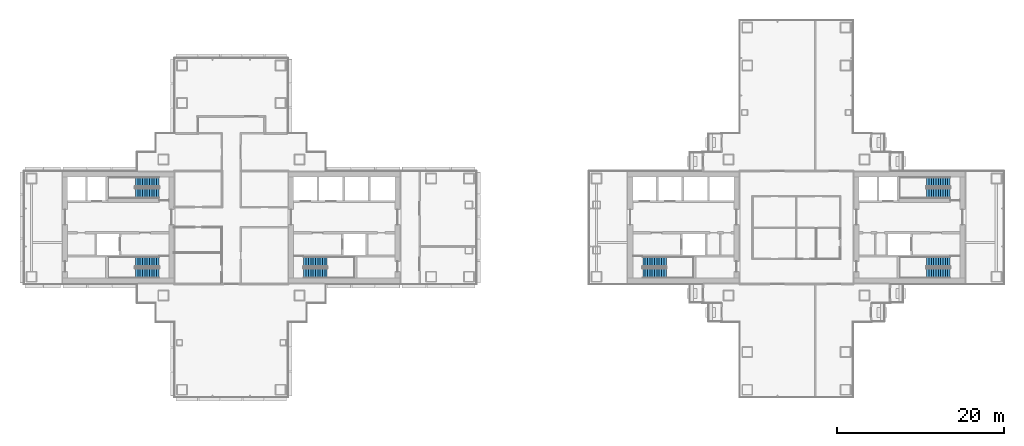
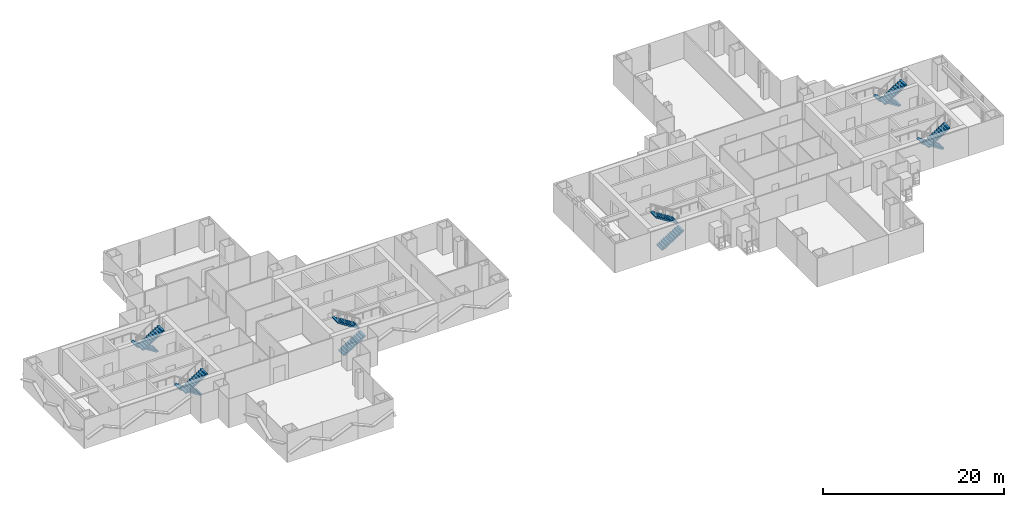
# One storey, part 15 of 19: 12 stair flights, 6 elements without a shape of their own.
"""IFC4 building model written with IfcOpenShell, lengths in metres."""

from ifc_helpers import new_model, si_unit, direction, frame, origin, place, context, subcontext, project, spatial, polyline, outline, extrude, material, type_object, element, aggregate, save


model = new_model("IFC4")

# Units and contexts
model_context = context("Model", 3, precision=1e-05, world=origin(), true_north=direction((0.0, 1.0)))
body_context = subcontext(model_context, "Body", "Model", "MODEL_VIEW")
ifc_project = project(units=[si_unit("LENGTHUNIT", "METRE"), si_unit("AREAUNIT", "SQUARE_METRE"), si_unit("VOLUMEUNIT", "CUBIC_METRE"), si_unit("PLANEANGLEUNIT", "RADIAN"), si_unit("MASSUNIT", "GRAM", prefix="KILO")], contexts=[model_context])

# Site, building, storey
site_placement = place(None, origin())
site = spatial("IfcSite", under=ifc_project, at=site_placement, CompositionType="ELEMENT")
building_placement = place(site_placement, origin())
building = spatial("IfcBuilding", under=site, at=building_placement, Name="Shamsa Quay Exchange Towers", CompositionType="ELEMENT")
storey_placement = place(building_placement, frame((0.0, 0.0, 89.699951171875)))
storey = spatial("IfcBuildingStorey", under=building, at=storey_placement, Name="L20", CompositionType="ELEMENT", Elevation=89.699951171875)

# Stair, stair flights
ifc_material = material(Name="Concrete C40/50", Category="concrete")
stair_type = type_object("IfcStairType", Name="EXIT STAIR 22 RISERS 177 MM", PredefinedType="HALF_TURN_STAIR", material=ifc_material)
stair_1_placement = place(storey_placement, origin())
stair_1 = element("IfcStair", 1, at=stair_1_placement, inside=storey, type_object=stair_type, Name="L20 Exit stair ST1", PredefinedType="HALF_TURN_STAIR")
stair_flight_type = type_object("IfcStairFlightType", Name="EXIT STAIR FLIGHT 11 RISERS 177 MM", PredefinedType="STRAIGHT", material=ifc_material)
stair_flight_1_placement = place(storey_placement, frame((-25.10009765625, -5.449951171875, 0.0)))
stair_flight_1 = element("IfcStairFlight", 2, at=stair_flight_1_placement, type_object=stair_flight_type, Name="ST1 flight 1", NumberOfRisers=11, NumberOfTreads=10, PredefinedType="STRAIGHT", RiserHeight=0.177272727, TreadLength=0.28, context=body_context, shape_type="SweptSolid", body=[
    extrude(outline(polyline([(0.0, 0.0), (0.0, 0.17724609375), (0.280029296875, 0.17724609375), (0.280029296875, 0.3544921875), (0.56005859375, 0.3544921875), (0.56005859375, 0.53173828125), (0.840087890625, 0.53173828125), (0.840087890625, 0.708984375), (1.1201171875, 0.708984375), (1.1201171875, 0.886474609375), (1.39990234375, 0.886474609375), (1.39990234375, 1.063720703125), (1.679931640625, 1.063720703125), (1.679931640625, 1.240966796875), (1.9599609375, 1.240966796875), (1.9599609375, 1.418212890625), (2.239990234375, 1.418212890625), (2.239990234375, 1.595458984375), (2.52001953125, 1.595458984375), (2.52001953125, 1.772705078125), (2.800048828125, 1.772705078125), (2.800048828125, 1.949951171875), (2.800048828125, 1.607177734375), (0.261474609375, 0.0), (0.0, 0.0)])), frame((0.0, 0.60009765625, 0.0), z_axis=(0.0, -1.0, 0.0), x_axis=(1.0, 0.0, 0.0)), (0.0, 0.0, 1.0), 1.199951171875),
])
stair_flight_2_placement = place(storey_placement, frame((-22.300048828125, -4.10009765625, 1.949951171875), z_axis=(0.0, 0.0, 1.0), x_axis=(-1.0, 0.0, 0.0)))
stair_flight_2 = element("IfcStairFlight", 3, at=stair_flight_2_placement, type_object=stair_flight_type, Name="ST1 flight 2", NumberOfRisers=11, NumberOfTreads=10, PredefinedType="STRAIGHT", RiserHeight=0.177272727, TreadLength=0.28, context=body_context, shape_type="SweptSolid", body=[
    extrude(outline(polyline([(0.0, 0.0), (0.0, 0.17724609375), (0.280029296875, 0.17724609375), (0.280029296875, 0.3544921875), (0.56005859375, 0.3544921875), (0.56005859375, 0.53173828125), (0.840087890625, 0.53173828125), (0.840087890625, 0.708984375), (1.1201171875, 0.708984375), (1.1201171875, 0.886474609375), (1.39990234375, 0.886474609375), (1.39990234375, 1.063720703125), (1.679931640625, 1.063720703125), (1.679931640625, 1.240966796875), (1.9599609375, 1.240966796875), (1.9599609375, 1.418212890625), (2.239990234375, 1.418212890625), (2.239990234375, 1.595458984375), (2.52001953125, 1.595458984375), (2.52001953125, 1.772705078125), (2.800048828125, 1.772705078125), (2.800048828125, 1.949951171875), (2.800048828125, 1.607177734375), (0.261474609375, 0.0), (0.0, 0.0)])), frame((0.0, 0.60009765625, 0.0), z_axis=(0.0, -1.0, 0.0), x_axis=(1.0, 0.0, 0.0)), (0.0, 0.0, 1.0), 1.199951171875),
])
aggregate(stair_1, [stair_flight_1, stair_flight_2])

stair_2_placement = place(storey_placement, origin())
stair_2 = element("IfcStair", 4, at=stair_2_placement, inside=storey, type_object=stair_type, Name="L20 Exit stair ST2", PredefinedType="HALF_TURN_STAIR")
stair_flight_3_placement = place(storey_placement, frame((-42.39990234375, -4.10009765625, 0.0), z_axis=(0.0, 0.0, 1.0), x_axis=(-1.0, 0.0, 0.0)))
stair_flight_3 = element("IfcStairFlight", 5, at=stair_flight_3_placement, type_object=stair_flight_type, Name="ST2 flight 1", NumberOfRisers=11, NumberOfTreads=10, PredefinedType="STRAIGHT", RiserHeight=0.177272727, TreadLength=0.28, context=body_context, shape_type="SweptSolid", body=[
    extrude(outline(polyline([(0.0, 0.0), (0.0, 0.17724609375), (0.280029296875, 0.17724609375), (0.280029296875, 0.3544921875), (0.56005859375, 0.3544921875), (0.56005859375, 0.53173828125), (0.840087890625, 0.53173828125), (0.840087890625, 0.708984375), (1.1201171875, 0.708984375), (1.1201171875, 0.886474609375), (1.39990234375, 0.886474609375), (1.39990234375, 1.063720703125), (1.679931640625, 1.063720703125), (1.679931640625, 1.240966796875), (1.9599609375, 1.240966796875), (1.9599609375, 1.418212890625), (2.239990234375, 1.418212890625), (2.239990234375, 1.595458984375), (2.52001953125, 1.595458984375), (2.52001953125, 1.772705078125), (2.800048828125, 1.772705078125), (2.800048828125, 1.949951171875), (2.800048828125, 1.607177734375), (0.261474609375, 0.0), (0.0, 0.0)])), frame((0.0, 0.60009765625, 0.0), z_axis=(0.0, -1.0, 0.0), x_axis=(1.0, 0.0, 0.0)), (0.0, 0.0, 1.0), 1.199951171875),
])
stair_flight_4_placement = place(storey_placement, frame((-45.199951171875, -5.449951171875, 1.949951171875)))
stair_flight_4 = element("IfcStairFlight", 6, at=stair_flight_4_placement, type_object=stair_flight_type, Name="ST2 flight 2", NumberOfRisers=11, NumberOfTreads=10, PredefinedType="STRAIGHT", RiserHeight=0.177272727, TreadLength=0.28, context=body_context, shape_type="SweptSolid", body=[
    extrude(outline(polyline([(0.0, 0.0), (0.0, 0.17724609375), (0.280029296875, 0.17724609375), (0.280029296875, 0.3544921875), (0.56005859375, 0.3544921875), (0.56005859375, 0.53173828125), (0.840087890625, 0.53173828125), (0.840087890625, 0.708984375), (1.1201171875, 0.708984375), (1.1201171875, 0.886474609375), (1.39990234375, 0.886474609375), (1.39990234375, 1.063720703125), (1.679931640625, 1.063720703125), (1.679931640625, 1.240966796875), (1.9599609375, 1.240966796875), (1.9599609375, 1.418212890625), (2.239990234375, 1.418212890625), (2.239990234375, 1.595458984375), (2.52001953125, 1.595458984375), (2.52001953125, 1.772705078125), (2.800048828125, 1.772705078125), (2.800048828125, 1.949951171875), (2.800048828125, 1.607177734375), (0.261474609375, 0.0), (0.0, 0.0)])), frame((0.0, 0.60009765625, 0.0), z_axis=(0.0, -1.0, 0.0), x_axis=(1.0, 0.0, 0.0)), (0.0, 0.0, 1.0), 1.199951171875),
])
aggregate(stair_2, [stair_flight_3, stair_flight_4])

stair_3_placement = place(storey_placement, origin())
stair_3 = element("IfcStair", 7, at=stair_3_placement, inside=storey, type_object=stair_type, Name="L20 Exit stair ST3", PredefinedType="HALF_TURN_STAIR")
stair_flight_5_placement = place(storey_placement, frame((-42.39990234375, 5.449951171875, 0.0), z_axis=(0.0, 0.0, 1.0), x_axis=(-1.0, 0.0, 0.0)))
stair_flight_5 = element("IfcStairFlight", 8, at=stair_flight_5_placement, type_object=stair_flight_type, Name="ST3 flight 1", NumberOfRisers=11, NumberOfTreads=10, PredefinedType="STRAIGHT", RiserHeight=0.177272727, TreadLength=0.28, context=body_context, shape_type="SweptSolid", body=[
    extrude(outline(polyline([(0.0, 0.0), (0.0, 0.17724609375), (0.280029296875, 0.17724609375), (0.280029296875, 0.3544921875), (0.56005859375, 0.3544921875), (0.56005859375, 0.53173828125), (0.840087890625, 0.53173828125), (0.840087890625, 0.708984375), (1.1201171875, 0.708984375), (1.1201171875, 0.886474609375), (1.39990234375, 0.886474609375), (1.39990234375, 1.063720703125), (1.679931640625, 1.063720703125), (1.679931640625, 1.240966796875), (1.9599609375, 1.240966796875), (1.9599609375, 1.418212890625), (2.239990234375, 1.418212890625), (2.239990234375, 1.595458984375), (2.52001953125, 1.595458984375), (2.52001953125, 1.772705078125), (2.800048828125, 1.772705078125), (2.800048828125, 1.949951171875), (2.800048828125, 1.607177734375), (0.261474609375, 0.0), (0.0, 0.0)])), frame((0.0, 0.60009765625, 0.0), z_axis=(0.0, -1.0, 0.0), x_axis=(1.0, 0.0, 0.0)), (0.0, 0.0, 1.0), 1.199951171875),
])
stair_flight_6_placement = place(storey_placement, frame((-45.199951171875, 4.10009765625, 1.949951171875)))
stair_flight_6 = element("IfcStairFlight", 9, at=stair_flight_6_placement, type_object=stair_flight_type, Name="ST3 flight 2", NumberOfRisers=11, NumberOfTreads=10, PredefinedType="STRAIGHT", RiserHeight=0.177272727, TreadLength=0.28, context=body_context, shape_type="SweptSolid", body=[
    extrude(outline(polyline([(0.0, 0.0), (0.0, 0.17724609375), (0.280029296875, 0.17724609375), (0.280029296875, 0.3544921875), (0.56005859375, 0.3544921875), (0.56005859375, 0.53173828125), (0.840087890625, 0.53173828125), (0.840087890625, 0.708984375), (1.1201171875, 0.708984375), (1.1201171875, 0.886474609375), (1.39990234375, 0.886474609375), (1.39990234375, 1.063720703125), (1.679931640625, 1.063720703125), (1.679931640625, 1.240966796875), (1.9599609375, 1.240966796875), (1.9599609375, 1.418212890625), (2.239990234375, 1.418212890625), (2.239990234375, 1.595458984375), (2.52001953125, 1.595458984375), (2.52001953125, 1.772705078125), (2.800048828125, 1.772705078125), (2.800048828125, 1.949951171875), (2.800048828125, 1.607177734375), (0.261474609375, 0.0), (0.0, 0.0)])), frame((0.0, 0.60009765625, 0.0), z_axis=(0.0, -1.0, 0.0), x_axis=(1.0, 0.0, 0.0)), (0.0, 0.0, 1.0), 1.199951171875),
])
aggregate(stair_3, [stair_flight_5, stair_flight_6])

stair_4_placement = place(storey_placement, origin())
stair_4 = element("IfcStair", 10, at=stair_4_placement, inside=storey, type_object=stair_type, Name="L20 Exit stair ST4", PredefinedType="HALF_TURN_STAIR")
stair_flight_7_placement = place(storey_placement, frame((15.39990234375, -5.449951171875, 0.0)))
stair_flight_7 = element("IfcStairFlight", 11, at=stair_flight_7_placement, type_object=stair_flight_type, Name="ST4 flight 1", NumberOfRisers=11, NumberOfTreads=10, PredefinedType="STRAIGHT", RiserHeight=0.177272727, TreadLength=0.28, context=body_context, shape_type="SweptSolid", body=[
    extrude(outline(polyline([(0.0, 0.0), (0.0, 0.17724609375), (0.280029296875, 0.17724609375), (0.280029296875, 0.3544921875), (0.56005859375, 0.3544921875), (0.56005859375, 0.53173828125), (0.840087890625, 0.53173828125), (0.840087890625, 0.708984375), (1.1201171875, 0.708984375), (1.1201171875, 0.886474609375), (1.39990234375, 0.886474609375), (1.39990234375, 1.063720703125), (1.679931640625, 1.063720703125), (1.679931640625, 1.240966796875), (1.9599609375, 1.240966796875), (1.9599609375, 1.418212890625), (2.239990234375, 1.418212890625), (2.239990234375, 1.595458984375), (2.52001953125, 1.595458984375), (2.52001953125, 1.772705078125), (2.800048828125, 1.772705078125), (2.800048828125, 1.949951171875), (2.800048828125, 1.607177734375), (0.261474609375, 0.0), (0.0, 0.0)])), frame((0.0, 0.60009765625, 0.0), z_axis=(0.0, -1.0, 0.0), x_axis=(1.0, 0.0, 0.0)), (0.0, 0.0, 1.0), 1.199951171875),
])
stair_flight_8_placement = place(storey_placement, frame((18.199951171875, -4.10009765625, 1.949951171875), z_axis=(0.0, 0.0, 1.0), x_axis=(-1.0, 0.0, 0.0)))
stair_flight_8 = element("IfcStairFlight", 12, at=stair_flight_8_placement, type_object=stair_flight_type, Name="ST4 flight 2", NumberOfRisers=11, NumberOfTreads=10, PredefinedType="STRAIGHT", RiserHeight=0.177272727, TreadLength=0.28, context=body_context, shape_type="SweptSolid", body=[
    extrude(outline(polyline([(0.0, 0.0), (0.0, 0.17724609375), (0.280029296875, 0.17724609375), (0.280029296875, 0.3544921875), (0.56005859375, 0.3544921875), (0.56005859375, 0.53173828125), (0.840087890625, 0.53173828125), (0.840087890625, 0.708984375), (1.1201171875, 0.708984375), (1.1201171875, 0.886474609375), (1.39990234375, 0.886474609375), (1.39990234375, 1.063720703125), (1.679931640625, 1.063720703125), (1.679931640625, 1.240966796875), (1.9599609375, 1.240966796875), (1.9599609375, 1.418212890625), (2.239990234375, 1.418212890625), (2.239990234375, 1.595458984375), (2.52001953125, 1.595458984375), (2.52001953125, 1.772705078125), (2.800048828125, 1.772705078125), (2.800048828125, 1.949951171875), (2.800048828125, 1.607177734375), (0.261474609375, 0.0), (0.0, 0.0)])), frame((0.0, 0.60009765625, 0.0), z_axis=(0.0, -1.0, 0.0), x_axis=(1.0, 0.0, 0.0)), (0.0, 0.0, 1.0), 1.199951171875),
])
aggregate(stair_4, [stair_flight_7, stair_flight_8])

stair_5_placement = place(storey_placement, origin())
stair_5 = element("IfcStair", 13, at=stair_5_placement, inside=storey, type_object=stair_type, Name="L20 Exit stair ST5", PredefinedType="HALF_TURN_STAIR")
stair_flight_9_placement = place(storey_placement, frame((52.10009765625, -4.10009765625, 0.0), z_axis=(0.0, 0.0, 1.0), x_axis=(-1.0, 0.0, 0.0)))
stair_flight_9 = element("IfcStairFlight", 14, at=stair_flight_9_placement, type_object=stair_flight_type, Name="ST5 flight 1", NumberOfRisers=11, NumberOfTreads=10, PredefinedType="STRAIGHT", RiserHeight=0.177272727, TreadLength=0.28, context=body_context, shape_type="SweptSolid", body=[
    extrude(outline(polyline([(0.0, 0.0), (0.0, 0.17724609375), (0.280029296875, 0.17724609375), (0.280029296875, 0.3544921875), (0.56005859375, 0.3544921875), (0.56005859375, 0.53173828125), (0.840087890625, 0.53173828125), (0.840087890625, 0.708984375), (1.1201171875, 0.708984375), (1.1201171875, 0.886474609375), (1.39990234375, 0.886474609375), (1.39990234375, 1.063720703125), (1.679931640625, 1.063720703125), (1.679931640625, 1.240966796875), (1.9599609375, 1.240966796875), (1.9599609375, 1.418212890625), (2.239990234375, 1.418212890625), (2.239990234375, 1.595458984375), (2.52001953125, 1.595458984375), (2.52001953125, 1.772705078125), (2.800048828125, 1.772705078125), (2.800048828125, 1.949951171875), (2.800048828125, 1.607177734375), (0.261474609375, 0.0), (0.0, 0.0)])), frame((0.0, 0.60009765625, 0.0), z_axis=(0.0, -1.0, 0.0), x_axis=(1.0, 0.0, 0.0)), (0.0, 0.0, 1.0), 1.199951171875),
])
stair_flight_10_placement = place(storey_placement, frame((49.300048828125, -5.449951171875, 1.949951171875)))
stair_flight_10 = element("IfcStairFlight", 15, at=stair_flight_10_placement, type_object=stair_flight_type, Name="ST5 flight 2", NumberOfRisers=11, NumberOfTreads=10, PredefinedType="STRAIGHT", RiserHeight=0.177272727, TreadLength=0.28, context=body_context, shape_type="SweptSolid", body=[
    extrude(outline(polyline([(0.0, 0.0), (0.0, 0.17724609375), (0.280029296875, 0.17724609375), (0.280029296875, 0.3544921875), (0.56005859375, 0.3544921875), (0.56005859375, 0.53173828125), (0.840087890625, 0.53173828125), (0.840087890625, 0.708984375), (1.1201171875, 0.708984375), (1.1201171875, 0.886474609375), (1.39990234375, 0.886474609375), (1.39990234375, 1.063720703125), (1.679931640625, 1.063720703125), (1.679931640625, 1.240966796875), (1.9599609375, 1.240966796875), (1.9599609375, 1.418212890625), (2.239990234375, 1.418212890625), (2.239990234375, 1.595458984375), (2.52001953125, 1.595458984375), (2.52001953125, 1.772705078125), (2.800048828125, 1.772705078125), (2.800048828125, 1.949951171875), (2.800048828125, 1.607177734375), (0.261474609375, 0.0), (0.0, 0.0)])), frame((0.0, 0.60009765625, 0.0), z_axis=(0.0, -1.0, 0.0), x_axis=(1.0, 0.0, 0.0)), (0.0, 0.0, 1.0), 1.199951171875),
])
aggregate(stair_5, [stair_flight_9, stair_flight_10])

stair_6_placement = place(storey_placement, origin())
stair_6 = element("IfcStair", 16, at=stair_6_placement, inside=storey, type_object=stair_type, Name="L20 Exit stair ST6", PredefinedType="HALF_TURN_STAIR")
stair_flight_11_placement = place(storey_placement, frame((52.10009765625, 5.449951171875, 0.0), z_axis=(0.0, 0.0, 1.0), x_axis=(-1.0, 0.0, 0.0)))
stair_flight_11 = element("IfcStairFlight", 17, at=stair_flight_11_placement, type_object=stair_flight_type, Name="ST6 flight 1", NumberOfRisers=11, NumberOfTreads=10, PredefinedType="STRAIGHT", RiserHeight=0.177272727, TreadLength=0.28, context=body_context, shape_type="SweptSolid", body=[
    extrude(outline(polyline([(0.0, 0.0), (0.0, 0.17724609375), (0.280029296875, 0.17724609375), (0.280029296875, 0.3544921875), (0.56005859375, 0.3544921875), (0.56005859375, 0.53173828125), (0.840087890625, 0.53173828125), (0.840087890625, 0.708984375), (1.1201171875, 0.708984375), (1.1201171875, 0.886474609375), (1.39990234375, 0.886474609375), (1.39990234375, 1.063720703125), (1.679931640625, 1.063720703125), (1.679931640625, 1.240966796875), (1.9599609375, 1.240966796875), (1.9599609375, 1.418212890625), (2.239990234375, 1.418212890625), (2.239990234375, 1.595458984375), (2.52001953125, 1.595458984375), (2.52001953125, 1.772705078125), (2.800048828125, 1.772705078125), (2.800048828125, 1.949951171875), (2.800048828125, 1.607177734375), (0.261474609375, 0.0), (0.0, 0.0)])), frame((0.0, 0.60009765625, 0.0), z_axis=(0.0, -1.0, 0.0), x_axis=(1.0, 0.0, 0.0)), (0.0, 0.0, 1.0), 1.199951171875),
])
stair_flight_12_placement = place(storey_placement, frame((49.300048828125, 4.10009765625, 1.949951171875)))
stair_flight_12 = element("IfcStairFlight", 18, at=stair_flight_12_placement, type_object=stair_flight_type, Name="ST6 flight 2", NumberOfRisers=11, NumberOfTreads=10, PredefinedType="STRAIGHT", RiserHeight=0.177272727, TreadLength=0.28, context=body_context, shape_type="SweptSolid", body=[
    extrude(outline(polyline([(0.0, 0.0), (0.0, 0.17724609375), (0.280029296875, 0.17724609375), (0.280029296875, 0.3544921875), (0.56005859375, 0.3544921875), (0.56005859375, 0.53173828125), (0.840087890625, 0.53173828125), (0.840087890625, 0.708984375), (1.1201171875, 0.708984375), (1.1201171875, 0.886474609375), (1.39990234375, 0.886474609375), (1.39990234375, 1.063720703125), (1.679931640625, 1.063720703125), (1.679931640625, 1.240966796875), (1.9599609375, 1.240966796875), (1.9599609375, 1.418212890625), (2.239990234375, 1.418212890625), (2.239990234375, 1.595458984375), (2.52001953125, 1.595458984375), (2.52001953125, 1.772705078125), (2.800048828125, 1.772705078125), (2.800048828125, 1.949951171875), (2.800048828125, 1.607177734375), (0.261474609375, 0.0), (0.0, 0.0)])), frame((0.0, 0.60009765625, 0.0), z_axis=(0.0, -1.0, 0.0), x_axis=(1.0, 0.0, 0.0)), (0.0, 0.0, 1.0), 1.199951171875),
])
aggregate(stair_6, [stair_flight_11, stair_flight_12])

save(model, "model.ifc")
